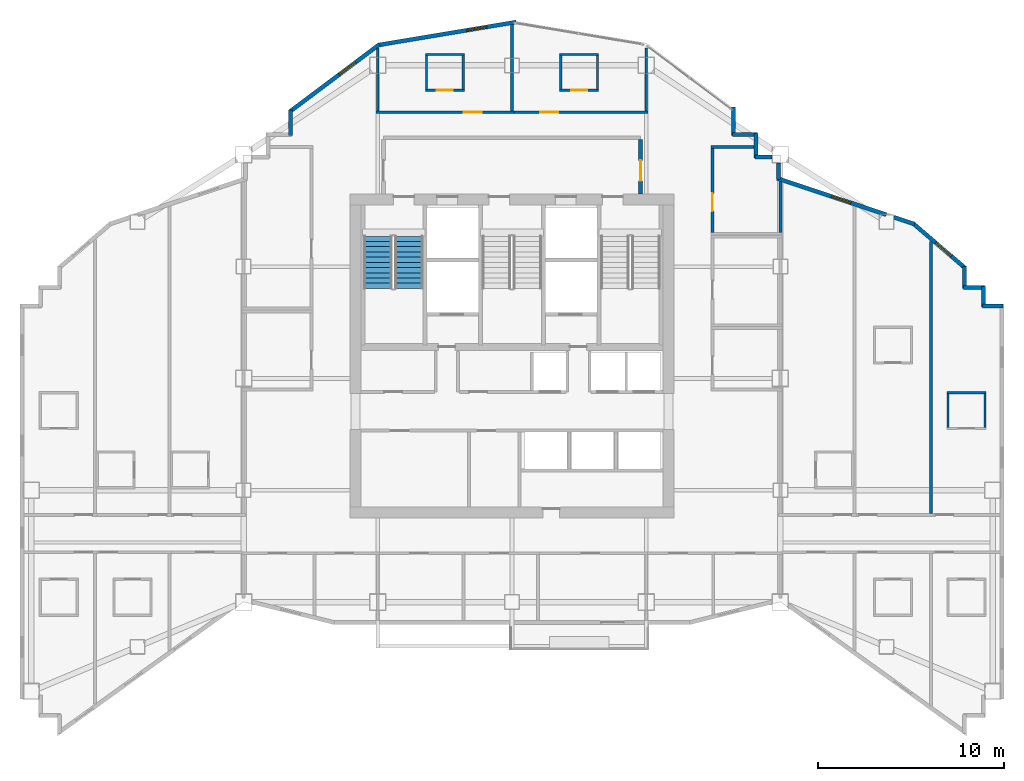
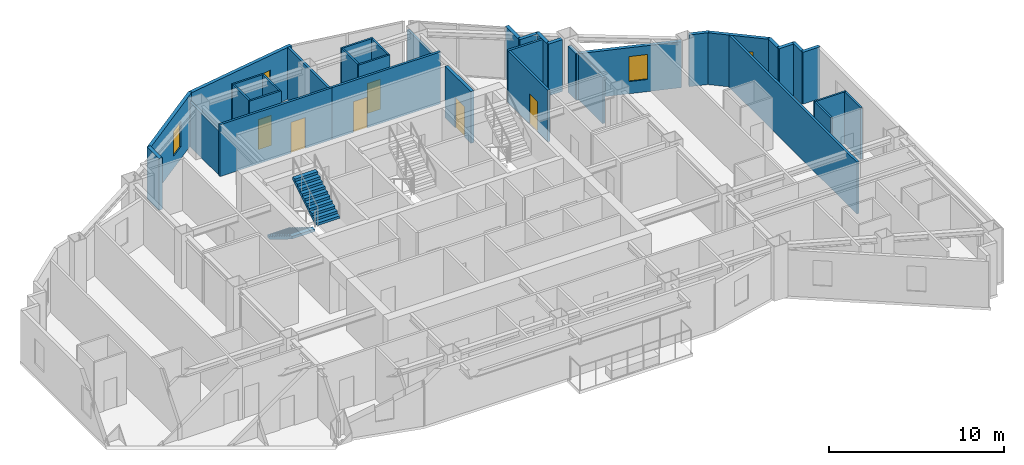
# One storey, part 9 of 11: 36 walls, 6 doors, 4 windows, 2 stair flights, 10 openings, 1 element without a shape of its own.
"""IFC4 building model written with IfcOpenShell, lengths in metres."""

from ifc_helpers import new_model, si_unit, direction, frame, frame_2d, origin, place, context, subcontext, project, spatial, polyline, rectangle, outline, extrude, material, layer, layer_set, type_object, element, fill, aggregate, save


model = new_model("IFC4")

# Units and contexts
model_context = context("Model", 3, precision=1e-05, world=origin(), true_north=direction((0.0, 1.0)))
body_context = subcontext(model_context, "Body", "Model", "MODEL_VIEW")
ifc_project = project(units=[si_unit("LENGTHUNIT", "METRE"), si_unit("AREAUNIT", "SQUARE_METRE"), si_unit("VOLUMEUNIT", "CUBIC_METRE"), si_unit("PLANEANGLEUNIT", "RADIAN"), si_unit("MASSUNIT", "GRAM", prefix="KILO")], contexts=[model_context])

# Site, building, storey
site_placement = place(None, origin())
site = spatial("IfcSite", under=ifc_project, at=site_placement, CompositionType="ELEMENT")
building_placement = place(site_placement, origin())
building = spatial("IfcBuilding", under=site, at=building_placement, Name="Haolan Belvedere Tower", CompositionType="ELEMENT")
storey_placement = place(building_placement, frame((0.0, 0.0, 188.0)))
storey = spatial("IfcBuildingStorey", under=building, at=storey_placement, Name="L47", CompositionType="ELEMENT", Elevation=188.0)

# Walls
ifc_material_1 = material(Name="Precast concrete C40/50", Category="concrete")
ifc_layer_1 = layer(ifc_material_1, 0.219970703125, Name="Precast concrete C40/50")
ifc_layer_set_1 = layer_set([ifc_layer_1], Name="Precast concrete C40/50")
wall_type_1 = type_object("IfcWallType", Name="WL-EXT-220", PredefinedType="SOLIDWALL", material=ifc_layer_set_1)
wall_1_placement = place(storey_placement, frame((64.7451171875, 37.489990234375, 0.0), z_axis=(0.0, 0.0, 1.0), x_axis=(-1.0, 0.0, 0.0)))
element("IfcWall", 1, at=wall_1_placement, inside=storey, type_object=wall_type_1, Name="L47 pale-metal exterior spandrel wall 9.1", PredefinedType="SOLIDWALL", context=body_context, shape_type="SweptSolid", body=[
    extrude(rectangle(XDim=1.110107421875, YDim=0.219970703125, at=frame_2d((0.55517578125, 0.0))), origin(), (0.0, 0.0, 1.0), 3.6201171875),
])
wall_2_placement = place(storey_placement, frame((63.68994140625, 37.43505859375, 0.0), z_axis=(0.0, 0.0, 1.0), x_axis=(0.0, 1.0, 0.0)))
element("IfcWall", 2, at=wall_2_placement, inside=storey, type_object=wall_type_1, Name="L47 pale-metal exterior spandrel wall 10.1", PredefinedType="SOLIDWALL", context=body_context, shape_type="SweptSolid", body=[
    extrude(rectangle(XDim=1.10986328125, YDim=0.219970703125, at=frame_2d((0.554931640625, 0.0))), origin(), (0.0, 0.0, 1.0), 3.6201171875),
])
wall_3_placement = place(storey_placement, frame((63.7451171875, 38.489990234375, 0.0), z_axis=(0.0, 0.0, 1.0), x_axis=(-1.0, 0.0, 0.0)))
element("IfcWall", 3, at=wall_3_placement, inside=storey, type_object=wall_type_1, Name="L47 pale-metal exterior spandrel wall 11.1", PredefinedType="SOLIDWALL", context=body_context, shape_type="SweptSolid", body=[
    extrude(rectangle(XDim=1.110107421875, YDim=0.219970703125, at=frame_2d((0.55517578125, 0.0))), origin(), (0.0, 0.0, 1.0), 3.6201171875),
])
wall_4_placement = place(storey_placement, frame((62.68994140625, 38.43505859375, 0.0), z_axis=(0.0, 0.0, 1.0), x_axis=(0.0, 1.0, 0.0)))
element("IfcWall", 4, at=wall_4_placement, inside=storey, type_object=wall_type_1, Name="L47 pale-metal exterior spandrel wall 12.1", PredefinedType="SOLIDWALL", context=body_context, shape_type="SweptSolid", body=[
    extrude(rectangle(XDim=1.16943359375, YDim=0.219970703125, at=frame_2d((0.584716796875, 0.0))), origin(), (0.0, 0.0, 1.0), 3.6201171875),
])

# Wall, opening, window
wall_5_placement = place(storey_placement, frame((62.731689453125, 39.513671875, 0.0), z_axis=(0.0, 0.0, 1.0), x_axis=(-0.759251976569, 0.65079677018, 0.0)))
wall_5 = element("IfcWall", 5, at=wall_5_placement, inside=storey, type_object=wall_type_1, Name="L47 pale-metal exterior spandrel wall 13.1", PredefinedType="SOLIDWALL", context=body_context, shape_type="SweptSolid", body=[
    extrude(rectangle(XDim=3.7255859375, YDim=0.219970703125, at=frame_2d((1.86279296875, 0.0))), origin(), (0.0, 0.0, 1.0), 3.6201171875),
])
opening_1_placement = place(wall_5_placement, frame((1.00341796875, 0.0, 0.85009765625)))
opening_1 = element("IfcOpeningElement", 6, at=opening_1_placement, cuts=wall_5, Name="Opening W-03", PredefinedType="OPENING", context=body_context, shape_type="SweptSolid", body=[
    extrude(rectangle(XDim=1.10009765625, YDim=1.75, at=frame_2d((0.550048828125, 0.875))), frame((0.0, 0.119873046875, 0.0), z_axis=(0.0, -1.0, 0.0), x_axis=(1.0, 0.0, 0.0)), (0.0, 0.0, 1.0), 0.239990234375),
])
ifc_material_2 = material(Name="Anodised aluminium 6063-T6 and Low-E glass", Category="aluminium")
window_type = type_object("IfcWindowType", Name="WN-DECO-Z3", PartitioningType="SINGLE_PANEL", PredefinedType="WINDOW", material=ifc_material_2)
window_1_placement = place(opening_1_placement, origin())
window_1 = element("IfcWindow", 7, at=window_1_placement, inside=storey, type_object=window_type, Name="L47 Art Deco chevron window 1", OverallHeight=1.75, OverallWidth=1.10009765625, PartitioningType="SINGLE_PANEL", PredefinedType="WINDOW", context=body_context, shape_type="SweptSolid", body=[
    extrude(rectangle(XDim=1.10009765625, YDim=1.75, at=frame_2d((0.550048828125, 0.875))), frame((0.0, 0.030029296875, 0.0), z_axis=(0.0, -1.0, 0.0), x_axis=(1.0, 0.0, 0.0)), (0.0, 0.0, 1.0), 0.06005859375),
])
fill(opening_1, window_1)

# Wall
wall_6_placement = place(storey_placement, frame((59.9970703125, 41.885009765625, 0.0), z_axis=(0.0, 0.0, 1.0), x_axis=(-0.948662335685, 0.316290646166, 0.0)))
element("IfcWall", 8, at=wall_6_placement, inside=storey, type_object=wall_type_1, Name="L47 pale-metal exterior spandrel wall 14.1", PredefinedType="SOLIDWALL", context=body_context, shape_type="SweptSolid", body=[
    extrude(rectangle(XDim=1.164794921875, YDim=0.219970703125, at=frame_2d((0.58251953125, 0.0))), origin(), (0.0, 0.0, 1.0), 3.6201171875),
])

# Wall, opening, window
wall_7_placement = place(storey_placement, frame((58.476318359375, 42.39208984375, 0.0), z_axis=(0.0, 0.0, 1.0), x_axis=(-0.948691231611, 0.316203964339, 0.0)))
wall_7 = element("IfcWall", 9, at=wall_7_placement, inside=storey, type_object=wall_type_1, Name="L47 pale-metal exterior spandrel wall 14.2", PredefinedType="SOLIDWALL", context=body_context, shape_type="SweptSolid", body=[
    extrude(rectangle(XDim=6.154296875, YDim=0.219970703125, at=frame_2d((3.0771484375, 0.0))), origin(), (0.0, 0.0, 1.0), 3.215087890625),
])
opening_2_placement = place(wall_7_placement, frame((1.989013671875, 0.0, 0.85009765625)))
opening_2 = element("IfcOpeningElement", 10, at=opening_2_placement, cuts=wall_7, Name="Opening W-03", PredefinedType="OPENING", context=body_context, shape_type="SweptSolid", body=[
    extrude(rectangle(XDim=1.10009765625, YDim=1.75, at=frame_2d((0.550048828125, 0.875))), frame((0.0, 0.119873046875, 0.0), z_axis=(0.0, -1.0, 0.0), x_axis=(1.0, 0.0, 0.0)), (0.0, 0.0, 1.0), 0.239990234375),
])
window_2_placement = place(opening_2_placement, origin())
window_2 = element("IfcWindow", 11, at=window_2_placement, inside=storey, type_object=window_type, Name="L47 Art Deco chevron window 1", OverallHeight=1.75, OverallWidth=1.10009765625, PartitioningType="SINGLE_PANEL", PredefinedType="WINDOW", context=body_context, shape_type="SweptSolid", body=[
    extrude(rectangle(XDim=1.10009765625, YDim=1.75, at=frame_2d((0.550048828125, 0.875))), frame((0.0, 0.030029296875, 0.0), z_axis=(0.0, -1.0, 0.0), x_axis=(1.0, 0.0, 0.0)), (0.0, 0.0, 1.0), 0.06005859375),
])
fill(opening_2, window_2)

# Walls
wall_8_placement = place(storey_placement, frame((52.68994140625, 44.265625, 0.0), z_axis=(0.0, 0.0, 1.0), x_axis=(0.0, 1.0, 0.0)))
element("IfcWall", 12, at=wall_8_placement, inside=storey, type_object=wall_type_1, Name="L47 pale-metal exterior spandrel wall 15.1", PredefinedType="SOLIDWALL", context=body_context, shape_type="SweptSolid", body=[
    extrude(rectangle(XDim=0.892333984375, YDim=0.219970703125, at=frame_2d((0.4462890625, 0.0))), origin(), (0.0, 0.0, 1.0), 3.215087890625),
])
wall_9_placement = place(storey_placement, frame((52.35791015625, 45.489990234375, 0.0), z_axis=(0.0, 0.0, 1.0), x_axis=(-1.0, 0.0, 0.0)))
element("IfcWall", 13, at=wall_9_placement, inside=storey, type_object=wall_type_1, Name="L47 pale-metal exterior spandrel wall 16.1", PredefinedType="SOLIDWALL", context=body_context, shape_type="SweptSolid", body=[
    extrude(rectangle(XDim=0.9228515625, YDim=0.219970703125, at=frame_2d((0.46142578125, 0.0))), origin(), (0.0, 0.0, 1.0), 3.6201171875),
])
wall_10_placement = place(storey_placement, frame((51.489990234375, 45.43505859375, 0.0), z_axis=(0.0, 0.0, 1.0), x_axis=(0.0, 1.0, 0.0)))
element("IfcWall", 14, at=wall_10_placement, inside=storey, type_object=wall_type_1, Name="L47 pale-metal exterior spandrel wall 17.1", PredefinedType="SOLIDWALL", context=body_context, shape_type="SweptSolid", body=[
    extrude(rectangle(XDim=1.31005859375, YDim=0.219970703125, at=frame_2d((0.655029296875, 0.0))), origin(), (0.0, 0.0, 1.0), 3.6201171875),
])
wall_11_placement = place(storey_placement, frame((51.544921875, 46.68994140625, 0.0), z_axis=(0.0, 0.0, 1.0), x_axis=(-1.0, 0.0, 0.0)))
element("IfcWall", 15, at=wall_11_placement, inside=storey, type_object=wall_type_1, Name="L47 pale-metal exterior spandrel wall 18.1", PredefinedType="SOLIDWALL", context=body_context, shape_type="SweptSolid", body=[
    extrude(rectangle(XDim=1.309814453125, YDim=0.219970703125, at=frame_2d((0.65478515625, 0.0))), origin(), (0.0, 0.0, 1.0), 3.6201171875),
])
wall_12_placement = place(storey_placement, frame((50.2900390625, 46.635009765625, 0.0), z_axis=(0.0, 0.0, 1.0), x_axis=(0.0, 1.0, 0.0)))
element("IfcWall", 16, at=wall_12_placement, inside=storey, type_object=wall_type_1, Name="L47 pale-metal exterior spandrel wall 19.1", PredefinedType="SOLIDWALL", context=body_context, shape_type="SweptSolid", body=[
    extrude(rectangle(XDim=1.534912109375, YDim=0.219970703125, at=frame_2d((0.767578125, 0.0))), origin(), (0.0, 0.0, 1.0), 3.6201171875),
])

# Wall, opening, window
wall_13_placement = place(storey_placement, frame((38.621826171875, 52.7255859375, 0.0), z_axis=(0.0, 0.0, 1.0), x_axis=(-0.986390420428, -0.164420006349, 0.0)))
wall_13 = element("IfcWall", 17, at=wall_13_placement, inside=storey, type_object=wall_type_1, Name="L47 pale-metal exterior spandrel wall 22.1", PredefinedType="SOLIDWALL", context=body_context, shape_type="SweptSolid", body=[
    extrude(rectangle(XDim=7.5341796875, YDim=0.219970703125, at=frame_2d((3.76708984375, 0.0))), origin(), (0.0, 0.0, 1.0), 3.6201171875),
])
opening_3_placement = place(wall_13_placement, frame((1.60009765625, 0.0, 0.85009765625)))
opening_3 = element("IfcOpeningElement", 18, at=opening_3_placement, cuts=wall_13, Name="Opening W-03", PredefinedType="OPENING", context=body_context, shape_type="SweptSolid", body=[
    extrude(rectangle(XDim=1.10009765625, YDim=1.75, at=frame_2d((0.550048828125, 0.875))), frame((0.0, 0.119873046875, 0.0), z_axis=(0.0, -1.0, 0.0), x_axis=(1.0, 0.0, 0.0)), (0.0, 0.0, 1.0), 0.239990234375),
])
window_3_placement = place(opening_3_placement, origin())
window_3 = element("IfcWindow", 19, at=window_3_placement, inside=storey, type_object=window_type, Name="L47 Art Deco chevron window 1", OverallHeight=1.75, OverallWidth=1.10009765625, PartitioningType="SINGLE_PANEL", PredefinedType="WINDOW", context=body_context, shape_type="SweptSolid", body=[
    extrude(rectangle(XDim=1.10009765625, YDim=1.75, at=frame_2d((0.550048828125, 0.875))), frame((0.0, 0.030029296875, 0.0), z_axis=(0.0, -1.0, 0.0), x_axis=(1.0, 0.0, 0.0)), (0.0, 0.0, 1.0), 0.06005859375),
])
fill(opening_3, window_3)

wall_14_placement = place(storey_placement, frame((31.28857421875, 51.52880859375, 0.0), z_axis=(0.0, 0.0, 1.0), x_axis=(-0.800014580093, -0.599980559383, 0.0)))
wall_14 = element("IfcWall", 20, at=wall_14_placement, inside=storey, type_object=wall_type_1, Name="L47 pale-metal exterior spandrel wall 23.1", PredefinedType="SOLIDWALL", context=body_context, shape_type="SweptSolid", body=[
    extrude(rectangle(XDim=6.028076171875, YDim=0.219970703125, at=frame_2d((3.01416015625, 0.0))), origin(), (0.0, 0.0, 1.0), 3.6201171875),
])
opening_4_placement = place(wall_14_placement, frame((1.60009765625, 0.0, 0.85009765625)))
opening_4 = element("IfcOpeningElement", 21, at=opening_4_placement, cuts=wall_14, Name="Opening W-03", PredefinedType="OPENING", context=body_context, shape_type="SweptSolid", body=[
    extrude(rectangle(XDim=1.10009765625, YDim=1.75, at=frame_2d((0.550048828125, 0.875))), frame((0.0, 0.119873046875, 0.0), z_axis=(0.0, -1.0, 0.0), x_axis=(1.0, 0.0, 0.0)), (0.0, 0.0, 1.0), 0.239990234375),
])
window_4_placement = place(opening_4_placement, origin())
window_4 = element("IfcWindow", 22, at=window_4_placement, inside=storey, type_object=window_type, Name="L47 Art Deco chevron window 1", OverallHeight=1.75, OverallWidth=1.10009765625, PartitioningType="SINGLE_PANEL", PredefinedType="WINDOW", context=body_context, shape_type="SweptSolid", body=[
    extrude(rectangle(XDim=1.10009765625, YDim=1.75, at=frame_2d((0.550048828125, 0.875))), frame((0.0, 0.030029296875, 0.0), z_axis=(0.0, -1.0, 0.0), x_axis=(1.0, 0.0, 0.0)), (0.0, 0.0, 1.0), 0.06005859375),
])
fill(opening_4, window_4)

# Wall
wall_15_placement = place(storey_placement, frame((26.510009765625, 48.0, 0.0), z_axis=(0.0, 0.0, 1.0), x_axis=(0.0, -1.0, 0.0)))
element("IfcWall", 23, at=wall_15_placement, inside=storey, type_object=wall_type_1, Name="L47 pale-metal exterior spandrel wall 24.1", PredefinedType="SOLIDWALL", context=body_context, shape_type="SweptSolid", body=[
    extrude(rectangle(XDim=1.364990234375, YDim=0.219970703125, at=frame_2d((0.6826171875, 0.0))), origin(), (0.0, 0.0, 1.0), 3.6201171875),
])

# Wall, opening, door
ifc_material_3 = material(Name="Concrete C40/50", Category="concrete")
ifc_layer_2 = layer(ifc_material_3, 0.199951171875, Name="Concrete C40/50")
ifc_layer_set_2 = layer_set([ifc_layer_2], Name="Concrete C40/50")
wall_type_2 = type_object("IfcWallType", Name="WL-FIRE-200", PredefinedType="SOLIDWALL", material=ifc_layer_set_2)
wall_16_placement = place(storey_placement, frame((45.300048828125, 43.5, 0.0), z_axis=(0.0, 0.0, 1.0), x_axis=(0.0, 1.0, 0.0)))
wall_16 = element("IfcWall", 24, at=wall_16_placement, inside=storey, type_object=wall_type_2, Name="L47 interior partition IW-L47-FFL-E", PredefinedType="SOLIDWALL", context=body_context, shape_type="SweptSolid", body=[
    extrude(rectangle(XDim=2.93505859375, YDim=0.199951171875, at=frame_2d((1.467529296875, 0.0))), origin(), (0.0, 0.0, 1.0), 3.6201171875),
])
opening_5_placement = place(wall_16_placement, frame((0.699951171875, 0.0, 0.0)))
opening_5 = element("IfcOpeningElement", 25, at=opening_5_placement, cuts=wall_16, Name="Opening FD-03", PredefinedType="OPENING", context=body_context, shape_type="SweptSolid", body=[
    extrude(rectangle(XDim=1.10009765625, YDim=2.14990234375, at=frame_2d((0.550048828125, 1.074951171875))), frame((0.0, 0.10986328125, 0.0), z_axis=(0.0, -1.0, 0.0), x_axis=(1.0, 0.0, 0.0)), (0.0, 0.0, 1.0), 0.219970703125),
])
ifc_material_4 = material(Name="Galvanised fire-rated steel", Category="steel")
door_type_1 = type_object("IfcDoorType", Name="DR-FD90-1100", OperationType="NOTDEFINED", PredefinedType="DOOR", material=ifc_material_4)
door_1_placement = place(opening_5_placement, origin())
door_1 = element("IfcDoor", 26, at=door_1_placement, inside=storey, type_object=door_type_1, Name="L47 door ID-L47-FFL-DE", OperationType="SINGLE_SWING_RIGHT", OverallHeight=2.14990234375, OverallWidth=1.10009765625, PredefinedType="DOOR", context=body_context, shape_type="SweptSolid", body=[
    extrude(rectangle(XDim=1.10009765625, YDim=2.14990234375, at=frame_2d((0.550048828125, 1.074951171875))), frame((0.0, 0.02490234375, 0.0), z_axis=(0.0, -1.0, 0.0), x_axis=(1.0, 0.0, 0.0)), (0.0, 0.0, 1.0), 0.050048828125),
])
fill(opening_5, door_1)

# Wall
ifc_material_5 = material(Name="Double gypsum acoustic stud partition", Category="masonry")
ifc_layer_3 = layer(ifc_material_5, 0.14990234375, Name="Double gypsum acoustic stud partition")
ifc_layer_set_3 = layer_set([ifc_layer_3], Name="Double gypsum acoustic stud partition")
wall_type_3 = type_object("IfcWallType", Name="WL-PART-150", PredefinedType="PARTITIONING", material=ifc_layer_set_3)
wall_17_placement = place(storey_placement, frame((49.080078125, 46.02001953125, 0.0), z_axis=(0.0, 0.0, 1.0), x_axis=(1.0, 0.0, 0.0)))
element("IfcWall", 27, at=wall_17_placement, inside=storey, type_object=wall_type_3, Name="L47 interior partition IW-L47-PNT-N", PredefinedType="PARTITIONING", context=body_context, shape_type="SweptSolid", body=[
    extrude(rectangle(XDim=2.307861328125, YDim=0.14990234375, at=frame_2d((1.15380859375, 0.0))), origin(), (0.0, 0.0, 1.0), 3.6201171875),
])

# Wall, opening, door
wall_18_placement = place(storey_placement, frame((49.159912109375, 41.419921875, 0.0), z_axis=(0.0, 0.0, 1.0), x_axis=(0.0, 1.0, 0.0)))
wall_18 = element("IfcWall", 28, at=wall_18_placement, inside=storey, type_object=wall_type_3, Name="L47 interior partition IW-L47-PNT-W", PredefinedType="PARTITIONING", context=body_context, shape_type="SweptSolid", body=[
    extrude(rectangle(XDim=4.5400390625, YDim=0.14990234375, at=frame_2d((2.27001953125, 0.0))), origin(), (0.0, 0.0, 1.0), 3.6201171875),
])
opening_6_placement = place(wall_18_placement, frame((1.159912109375, 0.0, 0.0)))
opening_6 = element("IfcOpeningElement", 29, at=opening_6_placement, cuts=wall_18, Name="Opening ID-03", PredefinedType="OPENING", context=body_context, shape_type="SweptSolid", body=[
    extrude(rectangle(XDim=0.949951171875, YDim=2.1201171875, at=frame_2d((0.47509765625, 1.06005859375))), frame((0.0, 0.0849609375, 0.0), z_axis=(0.0, -1.0, 0.0), x_axis=(1.0, 0.0, 0.0)), (0.0, 0.0, 1.0), 0.169921875),
])
ifc_material_6 = material(Name="Painted solid-core timber", Category="wood")
door_type_2 = type_object("IfcDoorType", Name="DR-INT-950", OperationType="NOTDEFINED", PredefinedType="DOOR", material=ifc_material_6)
door_2_placement = place(opening_6_placement, origin())
door_2 = element("IfcDoor", 30, at=door_2_placement, inside=storey, type_object=door_type_2, Name="L47 door ID-L47-PNT", OperationType="SINGLE_SWING_LEFT", OverallHeight=2.1201171875, OverallWidth=0.949951171875, PredefinedType="DOOR", context=body_context, shape_type="SweptSolid", body=[
    extrude(rectangle(XDim=0.949951171875, YDim=2.1201171875, at=frame_2d((0.47509765625, 1.06005859375))), frame((0.0, 0.02490234375, 0.0), z_axis=(0.0, -1.0, 0.0), x_axis=(1.0, 0.0, 0.0)), (0.0, 0.0, 1.0), 0.050048828125),
])
fill(opening_6, door_2)

# Wall
wall_19_placement = place(storey_placement, frame((52.800048828125, 41.419921875, 0.0), z_axis=(0.0, 0.0, 1.0), x_axis=(0.0, 1.0, 0.0)))
element("IfcWall", 31, at=wall_19_placement, inside=storey, type_object=wall_type_3, Name="L47 interior partition IW-L47-PNT-E", PredefinedType="PARTITIONING", context=body_context, shape_type="SweptSolid", body=[
    extrude(rectangle(XDim=2.756591796875, YDim=0.14990234375, at=frame_2d((1.37841796875, 0.0))), origin(), (0.0, 0.0, 1.0), 3.215087890625),
])

# Wall, opening, door
wall_20_placement = place(storey_placement, frame((31.10009765625, 47.8798828125, 0.0), z_axis=(0.0, 0.0, 1.0), x_axis=(1.0, 0.0, 0.0)))
wall_20 = element("IfcWall", 32, at=wall_20_placement, inside=storey, type_object=wall_type_3, Name="L47 interior partition IW-L47-KN2-S", PredefinedType="PARTITIONING", context=body_context, shape_type="SweptSolid", body=[
    extrude(rectangle(XDim=7.39990234375, YDim=0.14990234375, at=frame_2d((3.699951171875, 0.0))), origin(), (0.0, 0.0, 1.0), 3.6201171875),
])
opening_7_placement = place(wall_20_placement, frame((4.713623046875, 0.0, 0.0)))
opening_7 = element("IfcOpeningElement", 33, at=opening_7_placement, cuts=wall_20, Name="Opening ID-02", PredefinedType="OPENING", context=body_context, shape_type="SweptSolid", body=[
    extrude(rectangle(XDim=0.949951171875, YDim=2.14990234375, at=frame_2d((0.47509765625, 1.074951171875))), frame((0.0, 0.0849609375, 0.0), z_axis=(0.0, -1.0, 0.0), x_axis=(1.0, 0.0, 0.0)), (0.0, 0.0, 1.0), 0.169921875),
])
ifc_material_7 = material(Name="Acoustic oak veneer fire-rated timber", Category="wood")
door_type_3 = type_object("IfcDoorType", Name="DR-GUEST-950", OperationType="NOTDEFINED", PredefinedType="DOOR", material=ifc_material_7)
door_3_placement = place(opening_7_placement, origin())
door_3 = element("IfcDoor", 34, at=door_3_placement, inside=storey, type_object=door_type_3, Name="L47 door ID-L47-KN2-ENT", OperationType="SINGLE_SWING_LEFT", OverallHeight=2.14990234375, OverallWidth=0.949951171875, PredefinedType="DOOR", context=body_context, shape_type="SweptSolid", body=[
    extrude(rectangle(XDim=0.949951171875, YDim=2.14990234375, at=frame_2d((0.47509765625, 1.074951171875))), frame((0.0, 0.02490234375, 0.0), z_axis=(0.0, -1.0, 0.0), x_axis=(1.0, 0.0, 0.0)), (0.0, 0.0, 1.0), 0.050048828125),
])
fill(opening_7, door_3)

# Walls
wall_21_placement = place(storey_placement, frame((31.199951171875, 47.93994140625, 0.0), z_axis=(0.0, 0.0, 1.0), x_axis=(0.0, 1.0, 0.0)))
element("IfcWall", 35, at=wall_21_placement, inside=storey, type_object=wall_type_3, Name="L47 interior partition IW-L47-KN2-W", PredefinedType="PARTITIONING", context=body_context, shape_type="SweptSolid", body=[
    extrude(rectangle(XDim=3.39501953125, YDim=0.14990234375, at=frame_2d((1.697509765625, 0.0))), origin(), (0.0, 0.0, 1.0), 3.10498046875),
])
wall_22_placement = place(storey_placement, frame((38.39990234375, 47.93994140625, 0.0), z_axis=(0.0, 0.0, 1.0), x_axis=(0.0, 1.0, 0.0)))
element("IfcWall", 36, at=wall_22_placement, inside=storey, type_object=wall_type_3, Name="L47 interior partition IW-L47-KN2-E", PredefinedType="PARTITIONING", context=body_context, shape_type="SweptSolid", body=[
    extrude(rectangle(XDim=4.645263671875, YDim=0.14990234375, at=frame_2d((2.32275390625, 0.0))), origin(), (0.0, 0.0, 1.0), 3.6201171875),
])

# Wall, opening, door
wall_23_placement = place(storey_placement, frame((38.501953125, 47.8798828125, 0.0), z_axis=(0.0, 0.0, 1.0), x_axis=(1.0, 0.0, 0.0)))
wall_23 = element("IfcWall", 37, at=wall_23_placement, inside=storey, type_object=wall_type_3, Name="L47 interior partition IW-L47-KN3-S", PredefinedType="PARTITIONING", context=body_context, shape_type="SweptSolid", body=[
    extrude(rectangle(XDim=7.197998046875, YDim=0.14990234375, at=frame_2d((3.59912109375, 0.0))), origin(), (0.0, 0.0, 1.0), 3.6201171875),
])
opening_8_placement = place(wall_23_placement, frame((1.41748046875, 0.0, 0.0)))
opening_8 = element("IfcOpeningElement", 38, at=opening_8_placement, cuts=wall_23, Name="Opening ID-02", PredefinedType="OPENING", context=body_context, shape_type="SweptSolid", body=[
    extrude(rectangle(XDim=0.949951171875, YDim=2.14990234375, at=frame_2d((0.47509765625, 1.074951171875))), frame((0.0, 0.0849609375, 0.0), z_axis=(0.0, -1.0, 0.0), x_axis=(1.0, 0.0, 0.0)), (0.0, 0.0, 1.0), 0.169921875),
])
door_4_placement = place(opening_8_placement, origin())
door_4 = element("IfcDoor", 39, at=door_4_placement, inside=storey, type_object=door_type_3, Name="L47 door ID-L47-KN3-ENT", OperationType="SINGLE_SWING_RIGHT", OverallHeight=2.14990234375, OverallWidth=0.949951171875, PredefinedType="DOOR", context=body_context, shape_type="SweptSolid", body=[
    extrude(rectangle(XDim=0.949951171875, YDim=2.14990234375, at=frame_2d((0.47509765625, 1.074951171875))), frame((0.0, 0.02490234375, 0.0), z_axis=(0.0, -1.0, 0.0), x_axis=(1.0, 0.0, 0.0)), (0.0, 0.0, 1.0), 0.050048828125),
])
fill(opening_8, door_4)

# Walls
wall_24_placement = place(storey_placement, frame((45.60009765625, 47.93994140625, 0.0), z_axis=(0.0, 0.0, 1.0), x_axis=(0.0, 1.0, 0.0)))
element("IfcWall", 40, at=wall_24_placement, inside=storey, type_object=wall_type_3, Name="L47 interior partition IW-L47-KN3-E", PredefinedType="PARTITIONING", context=body_context, shape_type="SweptSolid", body=[
    extrude(rectangle(XDim=3.39501953125, YDim=0.14990234375, at=frame_2d((1.697509765625, 0.0))), origin(), (0.0, 0.0, 1.0), 3.10498046875),
])
wall_25_placement = place(storey_placement, frame((60.889892578125, 26.340087890625, 0.0), z_axis=(0.0, 0.0, 1.0), x_axis=(0.0, 1.0, 0.0)))
element("IfcWall", 41, at=wall_25_placement, inside=storey, type_object=wall_type_3, Name="L47 interior partition IW-L47-T4N2-E", PredefinedType="PARTITIONING", context=body_context, shape_type="SweptSolid", body=[
    extrude(rectangle(XDim=14.617919921875, YDim=0.14990234375, at=frame_2d((7.30908203125, 0.0))), origin(), (0.0, 0.0, 1.0), 3.6201171875),
])
ifc_material_8 = material(Name="Moisture-resistant gypsum tile partition", Category="masonry")
ifc_layer_4 = layer(ifc_material_8, 0.1201171875, Name="Moisture-resistant gypsum tile partition")
ifc_layer_set_4 = layer_set([ifc_layer_4], Name="Moisture-resistant gypsum tile partition")
wall_type_4 = type_object("IfcWallType", Name="WL-WET-120", PredefinedType="PARTITIONING", material=ifc_layer_set_4)
wall_26_placement = place(storey_placement, frame((33.75, 50.97998046875, 0.0), z_axis=(0.0, 0.0, 1.0), x_axis=(1.0, 0.0, 0.0)))
element("IfcWall", 42, at=wall_26_placement, inside=storey, type_object=wall_type_4, Name="L47 interior partition IW-L47-KN2-BN", PredefinedType="PARTITIONING", context=body_context, shape_type="SweptSolid", body=[
    extrude(rectangle(XDim=2.10009765625, YDim=0.1201171875, at=frame_2d((1.050048828125, 0.0))), origin(), (0.0, 0.0, 1.0), 3.6201171875),
])

# Wall, opening, door
wall_27_placement = place(storey_placement, frame((33.75, 49.06005859375, 0.0), z_axis=(0.0, 0.0, 1.0), x_axis=(1.0, 0.0, 0.0)))
wall_27 = element("IfcWall", 43, at=wall_27_placement, inside=storey, type_object=wall_type_4, Name="L47 interior partition IW-L47-KN2-BS", PredefinedType="PARTITIONING", context=body_context, shape_type="SweptSolid", body=[
    extrude(rectangle(XDim=2.10009765625, YDim=0.1201171875, at=frame_2d((1.050048828125, 0.0))), origin(), (0.0, 0.0, 1.0), 3.6201171875),
])
opening_9_placement = place(wall_27_placement, frame((0.625, 0.0, 0.0)))
opening_9 = element("IfcOpeningElement", 44, at=opening_9_placement, cuts=wall_27, Name="Opening ID-05", PredefinedType="OPENING", context=body_context, shape_type="SweptSolid", body=[
    extrude(rectangle(XDim=0.85009765625, YDim=2.10009765625, at=frame_2d((0.425048828125, 1.050048828125))), frame((0.0, 0.070068359375, 0.0), z_axis=(0.0, -1.0, 0.0), x_axis=(1.0, 0.0, 0.0)), (0.0, 0.0, 1.0), 0.14013671875),
])
ifc_material_9 = material(Name="Moisture-resistant lacquered timber", Category="wood")
door_type_4 = type_object("IfcDoorType", Name="DR-BATH-850", OperationType="NOTDEFINED", PredefinedType="DOOR", material=ifc_material_9)
door_5_placement = place(opening_9_placement, origin())
door_5 = element("IfcDoor", 45, at=door_5_placement, inside=storey, type_object=door_type_4, Name="L47 door ID-L47-KN2-BATH", OperationType="SINGLE_SWING_RIGHT", OverallHeight=2.10009765625, OverallWidth=0.85009765625, PredefinedType="DOOR", context=body_context, shape_type="SweptSolid", body=[
    extrude(rectangle(XDim=0.85009765625, YDim=2.10009765625, at=frame_2d((0.425048828125, 1.050048828125))), frame((0.0, 0.02490234375, 0.0), z_axis=(0.0, -1.0, 0.0), x_axis=(1.0, 0.0, 0.0)), (0.0, 0.0, 1.0), 0.050048828125),
])
fill(opening_9, door_5)

# Walls
for number, where, z_axis, x_axis, name in (
    (46, (33.81005859375, 49.10498046875, 0.0), (0.0, 0.0, 1.0), (0.0, 1.0, 0.0), "L47 interior partition IW-L47-KN2-BW"),
    (47, (35.7900390625, 49.10498046875, 0.0), (0.0, 0.0, 1.0), (0.0, 1.0, 0.0), "L47 interior partition IW-L47-KN2-BE"),
):
    element("IfcWall", number, at=place(storey_placement, frame(where, z_axis=z_axis, x_axis=x_axis)), inside=storey, type_object=wall_type_4, Name=name, PredefinedType="PARTITIONING", context=body_context, shape_type="SweptSolid", body=[
        extrude(rectangle(XDim=1.830078125, YDim=0.1201171875, at=frame_2d((0.9150390625, 0.0))), origin(), (0.0, 0.0, 1.0), 3.6201171875),
    ])
wall_28_placement = place(storey_placement, frame((40.949951171875, 50.97998046875, 0.0), z_axis=(0.0, 0.0, 1.0), x_axis=(1.0, 0.0, 0.0)))
element("IfcWall", 48, at=wall_28_placement, inside=storey, type_object=wall_type_4, Name="L47 interior partition IW-L47-KN3-BN", PredefinedType="PARTITIONING", context=body_context, shape_type="SweptSolid", body=[
    extrude(rectangle(XDim=2.10009765625, YDim=0.1201171875, at=frame_2d((1.050048828125, 0.0))), origin(), (0.0, 0.0, 1.0), 3.6201171875),
])

# Wall, opening, door
wall_29_placement = place(storey_placement, frame((40.949951171875, 49.06005859375, 0.0), z_axis=(0.0, 0.0, 1.0), x_axis=(1.0, 0.0, 0.0)))
wall_29 = element("IfcWall", 49, at=wall_29_placement, inside=storey, type_object=wall_type_4, Name="L47 interior partition IW-L47-KN3-BS", PredefinedType="PARTITIONING", context=body_context, shape_type="SweptSolid", body=[
    extrude(rectangle(XDim=2.10009765625, YDim=0.1201171875, at=frame_2d((1.050048828125, 0.0))), origin(), (0.0, 0.0, 1.0), 3.6201171875),
])
opening_10_placement = place(wall_29_placement, frame((0.625, 0.0, 0.0)))
opening_10 = element("IfcOpeningElement", 50, at=opening_10_placement, cuts=wall_29, Name="Opening ID-05", PredefinedType="OPENING", context=body_context, shape_type="SweptSolid", body=[
    extrude(rectangle(XDim=0.85009765625, YDim=2.10009765625, at=frame_2d((0.425048828125, 1.050048828125))), frame((0.0, 0.070068359375, 0.0), z_axis=(0.0, -1.0, 0.0), x_axis=(1.0, 0.0, 0.0)), (0.0, 0.0, 1.0), 0.14013671875),
])
door_6_placement = place(opening_10_placement, origin())
door_6 = element("IfcDoor", 51, at=door_6_placement, inside=storey, type_object=door_type_4, Name="L47 door ID-L47-KN3-BATH", OperationType="SINGLE_SWING_LEFT", OverallHeight=2.10009765625, OverallWidth=0.85009765625, PredefinedType="DOOR", context=body_context, shape_type="SweptSolid", body=[
    extrude(rectangle(XDim=0.85009765625, YDim=2.10009765625, at=frame_2d((0.425048828125, 1.050048828125))), frame((0.0, 0.02490234375, 0.0), z_axis=(0.0, -1.0, 0.0), x_axis=(1.0, 0.0, 0.0)), (0.0, 0.0, 1.0), 0.050048828125),
])
fill(opening_10, door_6)

# Walls
for number, where, z_axis, x_axis, name in (
    (52, (41.010009765625, 49.10498046875, 0.0), (0.0, 0.0, 1.0), (0.0, 1.0, 0.0), "L47 interior partition IW-L47-KN3-BW"),
    (53, (42.989990234375, 49.10498046875, 0.0), (0.0, 0.0, 1.0), (0.0, 1.0, 0.0), "L47 interior partition IW-L47-KN3-BE"),
):
    element("IfcWall", number, at=place(storey_placement, frame(where, z_axis=z_axis, x_axis=x_axis)), inside=storey, type_object=wall_type_4, Name=name, PredefinedType="PARTITIONING", context=body_context, shape_type="SweptSolid", body=[
        extrude(rectangle(XDim=1.830078125, YDim=0.1201171875, at=frame_2d((0.9150390625, 0.0))), origin(), (0.0, 0.0, 1.0), 3.6201171875),
    ])
wall_30_placement = place(storey_placement, frame((61.737060546875, 32.8349609375, 0.0), z_axis=(0.0, 0.0, 1.0), x_axis=(1.0, 0.0, 0.0)))
element("IfcWall", 54, at=wall_30_placement, inside=storey, type_object=wall_type_4, Name="L47 interior partition IW-L47-T4N3-BN", PredefinedType="PARTITIONING", context=body_context, shape_type="SweptSolid", body=[
    extrude(rectangle(XDim=2.099853515625, YDim=0.1201171875, at=frame_2d((1.0498046875, 0.0))), origin(), (0.0, 0.0, 1.0), 3.6201171875),
])
for number, where, z_axis, x_axis, name in (
    (55, (61.797119140625, 30.9599609375, 0.0), (0.0, 0.0, 1.0), (0.0, 1.0, 0.0), "L47 interior partition IW-L47-T4N3-BW"),
    (56, (63.777099609375, 30.9599609375, 0.0), (0.0, 0.0, 1.0), (0.0, 1.0, 0.0), "L47 interior partition IW-L47-T4N3-BE"),
):
    element("IfcWall", number, at=place(storey_placement, frame(where, z_axis=z_axis, x_axis=x_axis)), inside=storey, type_object=wall_type_4, Name=name, PredefinedType="PARTITIONING", context=body_context, shape_type="SweptSolid", body=[
        extrude(rectangle(XDim=1.830078125, YDim=0.1201171875, at=frame_2d((0.9150390625, 0.0))), origin(), (0.0, 0.0, 1.0), 3.6201171875),
    ])

# Stair, stair flights
stair_type = type_object("IfcStairType", Name="STR-DL-22R-173", PredefinedType="HALF_TURN_STAIR", material=ifc_material_3)
stair_placement = place(storey_placement, origin())
stair = element("IfcStair", 57, at=stair_placement, inside=storey, type_object=stair_type, Name="L47 Smokeproof Core Exit Stair ST1", PredefinedType="HALF_TURN_STAIR")
stair_flight_type = type_object("IfcStairFlightType", Name="SFL-DL-11R-173", PredefinedType="STRAIGHT", material=ifc_material_3)
stair_flight_1_placement = place(storey_placement, frame((31.2099609375, 41.22998046875, 0.0), z_axis=(0.0, 0.0, 1.0), x_axis=(0.0, -1.0, 0.0)))
stair_flight_1 = element("IfcStairFlight", 58, at=stair_flight_1_placement, type_object=stair_flight_type, Name="ST1 flight 1", NumberOfRisers=11, NumberOfTreads=10, PredefinedType="STRAIGHT", RiserHeight=0.172727273, TreadLength=0.28, context=body_context, shape_type="SweptSolid", body=[
    extrude(outline(polyline([(0.0, 0.0), (0.0, 0.172607421875), (0.280029296875, 0.172607421875), (0.280029296875, 0.345458984375), (0.56005859375, 0.345458984375), (0.56005859375, 0.51806640625), (0.840087890625, 0.51806640625), (0.840087890625, 0.69091796875), (1.1201171875, 0.69091796875), (1.1201171875, 0.863525390625), (1.39990234375, 0.863525390625), (1.39990234375, 1.036376953125), (1.679931640625, 1.036376953125), (1.679931640625, 1.208984375), (1.9599609375, 1.208984375), (1.9599609375, 1.3818359375), (2.239990234375, 1.3818359375), (2.239990234375, 1.554443359375), (2.52001953125, 1.554443359375), (2.52001953125, 1.727294921875), (2.800048828125, 1.727294921875), (2.800048828125, 1.89990234375), (2.800048828125, 1.551025390625), (0.285400390625, 0.0), (0.0, 0.0)])), frame((0.0, 0.760009765625, 0.0), z_axis=(0.0, -1.0, 0.0), x_axis=(1.0, 0.0, 0.0)), (0.0, 0.0, 1.0), 1.52001953125),
])
stair_flight_2_placement = place(storey_placement, frame((32.8701171875, 38.429931640625, 1.89990234375), z_axis=(0.0, 0.0, 1.0), x_axis=(0.0, 1.0, 0.0)))
stair_flight_2 = element("IfcStairFlight", 59, at=stair_flight_2_placement, type_object=stair_flight_type, Name="ST1 flight 2", NumberOfRisers=11, NumberOfTreads=10, PredefinedType="STRAIGHT", RiserHeight=0.172727273, TreadLength=0.28, context=body_context, shape_type="SweptSolid", body=[
    extrude(outline(polyline([(0.0, 0.0), (0.0, 0.172607421875), (0.280029296875, 0.172607421875), (0.280029296875, 0.345458984375), (0.56005859375, 0.345458984375), (0.56005859375, 0.51806640625), (0.840087890625, 0.51806640625), (0.840087890625, 0.69091796875), (1.1201171875, 0.69091796875), (1.1201171875, 0.863525390625), (1.39990234375, 0.863525390625), (1.39990234375, 1.036376953125), (1.679931640625, 1.036376953125), (1.679931640625, 1.208984375), (1.9599609375, 1.208984375), (1.9599609375, 1.3818359375), (2.239990234375, 1.3818359375), (2.239990234375, 1.554443359375), (2.52001953125, 1.554443359375), (2.52001953125, 1.727294921875), (2.800048828125, 1.727294921875), (2.800048828125, 1.89990234375), (2.800048828125, 1.551025390625), (0.285400390625, 0.0), (0.0, 0.0)])), frame((0.0, 0.760009765625, 0.0), z_axis=(0.0, -1.0, 0.0), x_axis=(1.0, 0.0, 0.0)), (0.0, 0.0, 1.0), 1.52001953125),
])
aggregate(stair, [stair_flight_1, stair_flight_2])

save(model, "model.ifc")
